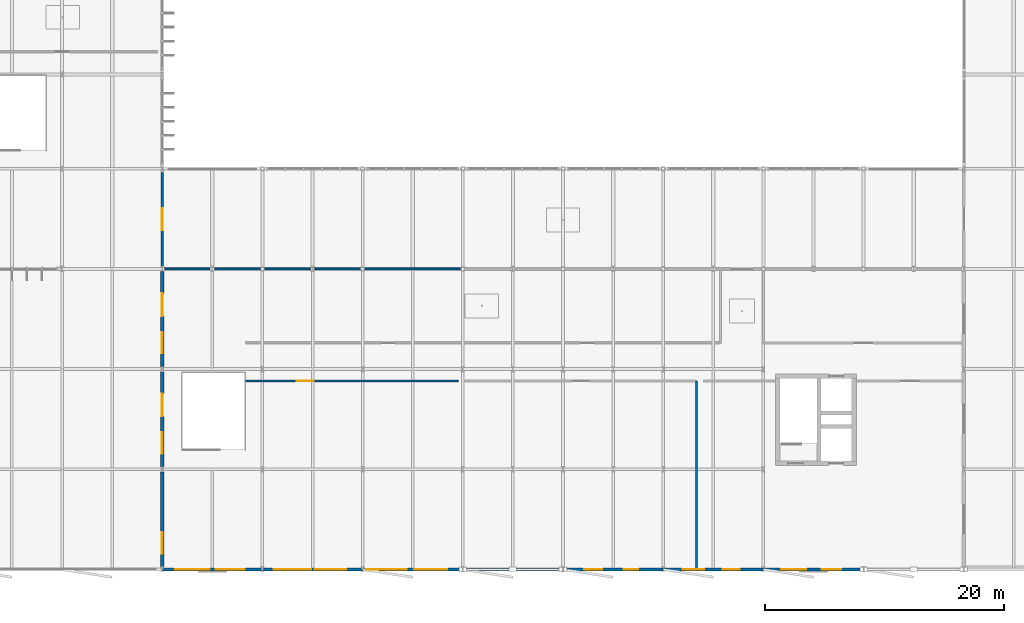
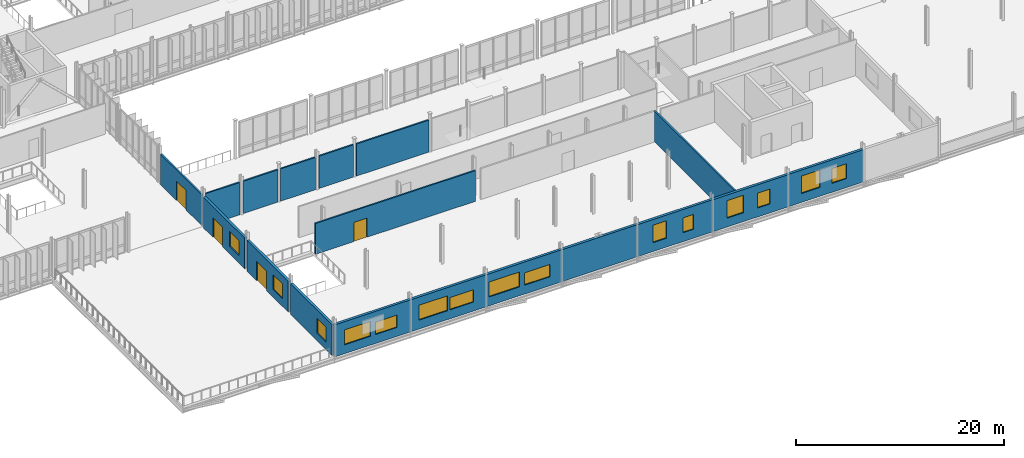
# One storey, part 102 of 139: 18 walls, 15 windows, 4 doors, 19 openings.
"""IFC4 building model written with IfcOpenShell, lengths in metres."""

from ifc_helpers import new_model, si_unit, derived_unit, direction, frame, frame_2d, origin, place, context, subcontext, project, spatial, rectangle, extrude, material, layer, layer_set, type_object, element, fill, save


model = new_model("IFC4")

# Units and contexts
model_context = context("Model", 3, precision=1e-05, world=origin(), true_north=direction((0.0, 1.0)))
body_context = subcontext(model_context, "Body", "Model", "MODEL_VIEW")
ifc_project = project(units=[si_unit("LENGTHUNIT", "METRE"), si_unit("AREAUNIT", "SQUARE_METRE"), si_unit("VOLUMEUNIT", "CUBIC_METRE"), si_unit("PLANEANGLEUNIT", "RADIAN"), si_unit("MASSUNIT", "GRAM", prefix="KILO"), derived_unit("THERMALTRANSMITTANCEUNIT", [(si_unit("MASSUNIT", "GRAM", prefix="KILO"), 1), (si_unit("TIMEUNIT", "SECOND"), -3), (si_unit("THERMODYNAMICTEMPERATUREUNIT", "KELVIN"), -1)])], contexts=[model_context])

# Site, building, storey
site_placement = place(None, origin())
site = spatial("IfcSite", under=ifc_project, at=site_placement, CompositionType="ELEMENT")
building_placement = place(site_placement, origin())
building = spatial("IfcBuilding", under=site, at=building_placement, Name="Makaiwela Harbour Ferry Terminal", CompositionType="ELEMENT")
storey_placement = place(building_placement, frame((0.0, 0.0, 5.10009765625)))
storey = spatial("IfcBuildingStorey", under=building, at=storey_placement, Name="L01", CompositionType="ELEMENT", Elevation=5.10009765625)

# Wall, openings, windows
ifc_material_1 = material(Name="Precast concrete f'c 40 MPa (6000 psi)", Category="concrete")
ifc_layer_1 = layer(ifc_material_1, 0.280029296875)
ifc_layer_set_1 = layer_set([ifc_layer_1], Name="Precast concrete f'c 40 MPa (6000 psi)")
wall_type_1 = type_object("IfcWallType", Name="ENV-WL-EXT280", PredefinedType="SOLIDWALL", material=ifc_layer_set_1)
wall_1_placement = place(storey_placement, frame((79.784912109375, 0.0, 0.0), z_axis=(0.0, 0.0, 1.0), x_axis=(-1.0, 0.0, 0.0)))
wall_1 = element("IfcWall", 1, at=wall_1_placement, inside=storey, type_object=wall_type_1, Name="Exterior Wall EW-021", PredefinedType="SOLIDWALL", context=body_context, shape_type="SweptSolid", body=[
    extrude(rectangle(XDim=8.369873046875, YDim=0.280029296875, at=frame_2d((4.18505859375, 0.0))), origin(), (0.0, 0.0, 1.0), 3.77197265625),
])
opening_1_placement = place(wall_1_placement, frame((1.478515625, 0.0, 1.050048828125)))
opening_1 = element("IfcOpeningElement", 2, at=opening_1_placement, cuts=wall_1, Name="Opening W-15", PredefinedType="OPENING", context=body_context, shape_type="SweptSolid", body=[
    extrude(rectangle(XDim=2.39990234375, YDim=1.449951171875, at=frame_2d((1.199951171875, 0.72509765625))), frame((0.0, 0.14990234375, 0.0), z_axis=(0.0, -1.0, 0.0), x_axis=(1.0, 0.0, 0.0)), (0.0, 0.0, 1.0), 0.300048828125),
])
opening_2_placement = place(wall_1_placement, frame((4.408935546875, 0.0, 1.050048828125)))
opening_2 = element("IfcOpeningElement", 3, at=opening_2_placement, cuts=wall_1, Name="Opening W-27", PredefinedType="OPENING", context=body_context, shape_type="SweptSolid", body=[
    extrude(rectangle(XDim=2.89990234375, YDim=1.75, at=frame_2d((1.449951171875, 0.875))), frame((0.0, 0.14990234375, 0.0), z_axis=(0.0, -1.0, 0.0), x_axis=(1.0, 0.0, 0.0)), (0.0, 0.0, 1.0), 0.300048828125),
])
ifc_material_2 = material(Name="Laminated hurricane-impact low-E insulated glazing", Category="glass")
window_type_1 = type_object("IfcWindowType", Name="ENV-WIN-15", PartitioningType="SINGLE_PANEL", PredefinedType="WINDOW", material=ifc_material_2)
window_1_placement = place(opening_1_placement, origin())
window_1 = element("IfcWindow", 4, at=window_1_placement, inside=storey, type_object=window_type_1, Name="Exterior Window W-15", OverallHeight=1.449951171875, OverallWidth=2.39990234375, PartitioningType="SINGLE_PANEL", PredefinedType="WINDOW", context=body_context, shape_type="SweptSolid", body=[
    extrude(rectangle(XDim=2.39990234375, YDim=1.449951171875, at=frame_2d((1.199951171875, 0.72509765625))), frame((0.0, 0.030029296875, 0.0), z_axis=(0.0, -1.0, 0.0), x_axis=(1.0, 0.0, 0.0)), (0.0, 0.0, 1.0), 0.06005859375),
])
fill(opening_1, window_1)
window_type_2 = type_object("IfcWindowType", Name="ENV-WIN-27", PartitioningType="SINGLE_PANEL", PredefinedType="WINDOW", material=ifc_material_2)
window_2_placement = place(opening_2_placement, origin())
window_2 = element("IfcWindow", 5, at=window_2_placement, inside=storey, type_object=window_type_2, Name="Exterior Window W-27", OverallHeight=1.75, OverallWidth=2.89990234375, PartitioningType="SINGLE_PANEL", PredefinedType="WINDOW", context=body_context, shape_type="SweptSolid", body=[
    extrude(rectangle(XDim=2.89990234375, YDim=1.75, at=frame_2d((1.449951171875, 0.875))), frame((0.0, 0.030029296875, 0.0), z_axis=(0.0, -1.0, 0.0), x_axis=(1.0, 0.0, 0.0)), (0.0, 0.0, 1.0), 0.06005859375),
])
fill(opening_2, window_2)

wall_2_placement = place(storey_placement, frame((88.18505859375, 0.0, 0.0), z_axis=(0.0, 0.0, 1.0), x_axis=(-1.0, 0.0, 0.0)))
wall_2 = element("IfcWall", 6, at=wall_2_placement, inside=storey, type_object=wall_type_1, Name="Exterior Wall EW-023", PredefinedType="SOLIDWALL", context=body_context, shape_type="SweptSolid", body=[
    extrude(rectangle(XDim=8.3701171875, YDim=0.280029296875, at=frame_2d((4.18505859375, 0.0))), origin(), (0.0, 0.0, 1.0), 3.77197265625),
])
opening_3_placement = place(wall_2_placement, frame((1.37841796875, 0.0, 1.050048828125)))
opening_3 = element("IfcOpeningElement", 7, at=opening_3_placement, cuts=wall_2, Name="Opening W-16", PredefinedType="OPENING", context=body_context, shape_type="SweptSolid", body=[
    extrude(rectangle(XDim=2.60009765625, YDim=1.449951171875, at=frame_2d((1.300048828125, 0.72509765625))), frame((0.0, 0.14990234375, 0.0), z_axis=(0.0, -1.0, 0.0), x_axis=(1.0, 0.0, 0.0)), (0.0, 0.0, 1.0), 0.300048828125),
])
opening_4_placement = place(wall_2_placement, frame((4.283935546875, 0.0, 1.050048828125)))
opening_4 = element("IfcOpeningElement", 8, at=opening_4_placement, cuts=wall_2, Name="Opening W-28", PredefinedType="OPENING", context=body_context, shape_type="SweptSolid", body=[
    extrude(rectangle(XDim=3.14990234375, YDim=1.75, at=frame_2d((1.574951171875, 0.875))), frame((0.0, 0.14990234375, 0.0), z_axis=(0.0, -1.0, 0.0), x_axis=(1.0, 0.0, 0.0)), (0.0, 0.0, 1.0), 0.300048828125),
])
window_type_3 = type_object("IfcWindowType", Name="ENV-WIN-16", PartitioningType="SINGLE_PANEL", PredefinedType="WINDOW", material=ifc_material_2)
window_3_placement = place(opening_3_placement, origin())
window_3 = element("IfcWindow", 9, at=window_3_placement, inside=storey, type_object=window_type_3, Name="Exterior Window W-16", OverallHeight=1.449951171875, OverallWidth=2.60009765625, PartitioningType="SINGLE_PANEL", PredefinedType="WINDOW", context=body_context, shape_type="SweptSolid", body=[
    extrude(rectangle(XDim=2.60009765625, YDim=1.449951171875, at=frame_2d((1.300048828125, 0.72509765625))), frame((0.0, 0.030029296875, 0.0), z_axis=(0.0, -1.0, 0.0), x_axis=(1.0, 0.0, 0.0)), (0.0, 0.0, 1.0), 0.06005859375),
])
fill(opening_3, window_3)
window_type_4 = type_object("IfcWindowType", Name="ENV-WIN-28", PartitioningType="SINGLE_PANEL", PredefinedType="WINDOW", material=ifc_material_2)
window_4_placement = place(opening_4_placement, origin())
window_4 = element("IfcWindow", 10, at=window_4_placement, inside=storey, type_object=window_type_4, Name="Exterior Window W-28", OverallHeight=1.75, OverallWidth=3.14990234375, PartitioningType="SINGLE_PANEL", PredefinedType="WINDOW", context=body_context, shape_type="SweptSolid", body=[
    extrude(rectangle(XDim=3.14990234375, YDim=1.75, at=frame_2d((1.574951171875, 0.875))), frame((0.0, 0.030029296875, 0.0), z_axis=(0.0, -1.0, 0.0), x_axis=(1.0, 0.0, 0.0)), (0.0, 0.0, 1.0), 0.06005859375),
])
fill(opening_4, window_4)

wall_3_placement = place(storey_placement, frame((96.5849609375, 0.0, 0.0), z_axis=(0.0, 0.0, 1.0), x_axis=(-1.0, 0.0, 0.0)))
wall_3 = element("IfcWall", 11, at=wall_3_placement, inside=storey, type_object=wall_type_1, Name="Exterior Wall EW-025", PredefinedType="SOLIDWALL", context=body_context, shape_type="SweptSolid", body=[
    extrude(rectangle(XDim=8.369873046875, YDim=0.280029296875, at=frame_2d((4.18505859375, 0.0))), origin(), (0.0, 0.0, 1.0), 3.77197265625),
])
opening_5_placement = place(wall_3_placement, frame((1.2783203125, 0.0, 1.050048828125)))
opening_5 = element("IfcOpeningElement", 12, at=opening_5_placement, cuts=wall_3, Name="Opening W-17", PredefinedType="OPENING", context=body_context, shape_type="SweptSolid", body=[
    extrude(rectangle(XDim=2.800048828125, YDim=1.449951171875, at=frame_2d((1.39990234375, 0.72509765625))), frame((0.0, 0.14990234375, 0.0), z_axis=(0.0, -1.0, 0.0), x_axis=(1.0, 0.0, 0.0)), (0.0, 0.0, 1.0), 0.300048828125),
])
opening_6_placement = place(wall_3_placement, frame((4.669921875, 0.0, 1.050048828125)))
opening_6 = element("IfcOpeningElement", 13, at=opening_6_placement, cuts=wall_3, Name="Opening W-29", PredefinedType="OPENING", context=body_context, shape_type="SweptSolid", body=[
    extrude(rectangle(XDim=3.39990234375, YDim=1.75, at=frame_2d((1.699951171875, 0.875))), frame((0.0, 0.14990234375, 0.0), z_axis=(0.0, -1.0, 0.0), x_axis=(1.0, 0.0, 0.0)), (0.0, 0.0, 1.0), 0.300048828125),
])
window_type_5 = type_object("IfcWindowType", Name="ENV-WIN-17", PartitioningType="SINGLE_PANEL", PredefinedType="WINDOW", material=ifc_material_2)
window_5_placement = place(opening_5_placement, origin())
window_5 = element("IfcWindow", 14, at=window_5_placement, inside=storey, type_object=window_type_5, Name="Exterior Window W-17", OverallHeight=1.449951171875, OverallWidth=2.800048828125, PartitioningType="SINGLE_PANEL", PredefinedType="WINDOW", context=body_context, shape_type="SweptSolid", body=[
    extrude(rectangle(XDim=2.800048828125, YDim=1.449951171875, at=frame_2d((1.39990234375, 0.72509765625))), frame((0.0, 0.030029296875, 0.0), z_axis=(0.0, -1.0, 0.0), x_axis=(1.0, 0.0, 0.0)), (0.0, 0.0, 1.0), 0.06005859375),
])
fill(opening_5, window_5)
window_type_6 = type_object("IfcWindowType", Name="ENV-WIN-29", PartitioningType="SINGLE_PANEL", PredefinedType="WINDOW", material=ifc_material_2)
window_6_placement = place(opening_6_placement, origin())
window_6 = element("IfcWindow", 15, at=window_6_placement, inside=storey, type_object=window_type_6, Name="Exterior Window W-29", OverallHeight=1.75, OverallWidth=3.39990234375, PartitioningType="SINGLE_PANEL", PredefinedType="WINDOW", context=body_context, shape_type="SweptSolid", body=[
    extrude(rectangle(XDim=3.39990234375, YDim=1.75, at=frame_2d((1.699951171875, 0.875))), frame((0.0, 0.030029296875, 0.0), z_axis=(0.0, -1.0, 0.0), x_axis=(1.0, 0.0, 0.0)), (0.0, 0.0, 1.0), 0.06005859375),
])
fill(opening_6, window_6)

# Wall
wall_4_placement = place(storey_placement, frame((104.985107421875, 0.0, 0.0), z_axis=(0.0, 0.0, 1.0), x_axis=(-1.0, 0.0, 0.0)))
element("IfcWall", 16, at=wall_4_placement, inside=storey, type_object=wall_type_1, Name="Exterior Wall EW-027", PredefinedType="SOLIDWALL", context=body_context, shape_type="SweptSolid", body=[
    extrude(rectangle(XDim=8.3701171875, YDim=0.280029296875, at=frame_2d((4.18505859375, 0.0))), origin(), (0.0, 0.0, 1.0), 3.77197265625),
])

# Wall, openings, windows
wall_5_placement = place(storey_placement, frame((113.385009765625, 0.0, 0.0), z_axis=(0.0, 0.0, 1.0), x_axis=(-1.0, 0.0, 0.0)))
wall_5 = element("IfcWall", 17, at=wall_5_placement, inside=storey, type_object=wall_type_1, Name="Exterior Wall EW-029", PredefinedType="SOLIDWALL", context=body_context, shape_type="SweptSolid", body=[
    extrude(rectangle(XDim=8.3701171875, YDim=0.280029296875, at=frame_2d((4.18505859375, 0.0))), origin(), (0.0, 0.0, 1.0), 3.77197265625),
])
opening_7_placement = place(wall_5_placement, frame((2.078369140625, 0.0, 1.050048828125)))
opening_7 = element("IfcOpeningElement", 18, at=opening_7_placement, cuts=wall_5, Name="Opening W-19", PredefinedType="OPENING", context=body_context, shape_type="SweptSolid", body=[
    extrude(rectangle(XDim=1.199951171875, YDim=1.75, at=frame_2d((0.60009765625, 0.875))), frame((0.0, 0.14990234375, 0.0), z_axis=(0.0, -1.0, 0.0), x_axis=(1.0, 0.0, 0.0)), (0.0, 0.0, 1.0), 0.300048828125),
])
opening_8_placement = place(wall_5_placement, frame((5.10888671875, 0.0, 1.050048828125)))
opening_8 = element("IfcOpeningElement", 19, at=opening_8_placement, cuts=wall_5, Name="Opening W-31", PredefinedType="OPENING", context=body_context, shape_type="SweptSolid", body=[
    extrude(rectangle(XDim=1.5, YDim=2.050048828125, at=frame_2d((0.75, 1.02490234375))), frame((0.0, 0.14990234375, 0.0), z_axis=(0.0, -1.0, 0.0), x_axis=(1.0, 0.0, 0.0)), (0.0, 0.0, 1.0), 0.300048828125),
])
window_type_7 = type_object("IfcWindowType", Name="ENV-WIN-19", PartitioningType="SINGLE_PANEL", PredefinedType="WINDOW", material=ifc_material_2)
window_7_placement = place(opening_7_placement, origin())
window_7 = element("IfcWindow", 20, at=window_7_placement, inside=storey, type_object=window_type_7, Name="Exterior Window W-19", OverallHeight=1.75, OverallWidth=1.199951171875, PartitioningType="SINGLE_PANEL", PredefinedType="WINDOW", context=body_context, shape_type="SweptSolid", body=[
    extrude(rectangle(XDim=1.199951171875, YDim=1.75, at=frame_2d((0.60009765625, 0.875))), frame((0.0, 0.030029296875, 0.0), z_axis=(0.0, -1.0, 0.0), x_axis=(1.0, 0.0, 0.0)), (0.0, 0.0, 1.0), 0.06005859375),
])
fill(opening_7, window_7)
window_type_8 = type_object("IfcWindowType", Name="ENV-WIN-31", PartitioningType="SINGLE_PANEL", PredefinedType="WINDOW", material=ifc_material_2)
window_8_placement = place(opening_8_placement, origin())
window_8 = element("IfcWindow", 21, at=window_8_placement, inside=storey, type_object=window_type_8, Name="Exterior Window W-31", OverallHeight=2.050048828125, OverallWidth=1.5, PartitioningType="SINGLE_PANEL", PredefinedType="WINDOW", context=body_context, shape_type="SweptSolid", body=[
    extrude(rectangle(XDim=1.5, YDim=2.050048828125, at=frame_2d((0.75, 1.02490234375))), frame((0.0, 0.030029296875, 0.0), z_axis=(0.0, -1.0, 0.0), x_axis=(1.0, 0.0, 0.0)), (0.0, 0.0, 1.0), 0.06005859375),
])
fill(opening_8, window_8)

wall_6_placement = place(storey_placement, frame((121.784912109375, 0.0, 0.0), z_axis=(0.0, 0.0, 1.0), x_axis=(-1.0, 0.0, 0.0)))
wall_6 = element("IfcWall", 22, at=wall_6_placement, inside=storey, type_object=wall_type_1, Name="Exterior Wall EW-031", PredefinedType="SOLIDWALL", context=body_context, shape_type="SweptSolid", body=[
    extrude(rectangle(XDim=8.369873046875, YDim=0.280029296875, at=frame_2d((4.18505859375, 0.0))), origin(), (0.0, 0.0, 1.0), 3.77197265625),
])
opening_9_placement = place(wall_6_placement, frame((1.978515625, 0.0, 1.050048828125)))
opening_9 = element("IfcOpeningElement", 23, at=opening_9_placement, cuts=wall_6, Name="Opening W-20", PredefinedType="OPENING", context=body_context, shape_type="SweptSolid", body=[
    extrude(rectangle(XDim=1.39990234375, YDim=1.75, at=frame_2d((0.699951171875, 0.875))), frame((0.0, 0.14990234375, 0.0), z_axis=(0.0, -1.0, 0.0), x_axis=(1.0, 0.0, 0.0)), (0.0, 0.0, 1.0), 0.300048828125),
])
opening_10_placement = place(wall_6_placement, frame((4.958984375, 0.0, 1.050048828125)))
opening_10 = element("IfcOpeningElement", 24, at=opening_10_placement, cuts=wall_6, Name="Opening W-32", PredefinedType="OPENING", context=body_context, shape_type="SweptSolid", body=[
    extrude(rectangle(XDim=1.800048828125, YDim=2.050048828125, at=frame_2d((0.89990234375, 1.02490234375))), frame((0.0, 0.14990234375, 0.0), z_axis=(0.0, -1.0, 0.0), x_axis=(1.0, 0.0, 0.0)), (0.0, 0.0, 1.0), 0.300048828125),
])
window_type_9 = type_object("IfcWindowType", Name="ENV-WIN-20", PartitioningType="SINGLE_PANEL", PredefinedType="WINDOW", material=ifc_material_2)
window_9_placement = place(opening_9_placement, origin())
window_9 = element("IfcWindow", 25, at=window_9_placement, inside=storey, type_object=window_type_9, Name="Exterior Window W-20", OverallHeight=1.75, OverallWidth=1.39990234375, PartitioningType="SINGLE_PANEL", PredefinedType="WINDOW", context=body_context, shape_type="SweptSolid", body=[
    extrude(rectangle(XDim=1.39990234375, YDim=1.75, at=frame_2d((0.699951171875, 0.875))), frame((0.0, 0.030029296875, 0.0), z_axis=(0.0, -1.0, 0.0), x_axis=(1.0, 0.0, 0.0)), (0.0, 0.0, 1.0), 0.06005859375),
])
fill(opening_9, window_9)
window_type_10 = type_object("IfcWindowType", Name="ENV-WIN-32", PartitioningType="SINGLE_PANEL", PredefinedType="WINDOW", material=ifc_material_2)
window_10_placement = place(opening_10_placement, origin())
window_10 = element("IfcWindow", 26, at=window_10_placement, inside=storey, type_object=window_type_10, Name="Exterior Window W-32", OverallHeight=2.050048828125, OverallWidth=1.800048828125, PartitioningType="SINGLE_PANEL", PredefinedType="WINDOW", context=body_context, shape_type="SweptSolid", body=[
    extrude(rectangle(XDim=1.800048828125, YDim=2.050048828125, at=frame_2d((0.89990234375, 1.02490234375))), frame((0.0, 0.030029296875, 0.0), z_axis=(0.0, -1.0, 0.0), x_axis=(1.0, 0.0, 0.0)), (0.0, 0.0, 1.0), 0.06005859375),
])
fill(opening_10, window_10)

wall_7_placement = place(storey_placement, frame((130.18505859375, 0.0, 0.0), z_axis=(0.0, 0.0, 1.0), x_axis=(-1.0, 0.0, 0.0)))
wall_7 = element("IfcWall", 27, at=wall_7_placement, inside=storey, type_object=wall_type_1, Name="Exterior Wall EW-033", PredefinedType="SOLIDWALL", context=body_context, shape_type="SweptSolid", body=[
    extrude(rectangle(XDim=8.3701171875, YDim=0.280029296875, at=frame_2d((4.18505859375, 0.0))), origin(), (0.0, 0.0, 1.0), 3.803955078125),
])
opening_11_placement = place(wall_7_placement, frame((1.87841796875, 0.0, 1.050048828125)))
opening_11 = element("IfcOpeningElement", 28, at=opening_11_placement, cuts=wall_7, Name="Opening W-21", PredefinedType="OPENING", context=body_context, shape_type="SweptSolid", body=[
    extrude(rectangle(XDim=1.60009765625, YDim=1.75, at=frame_2d((0.800048828125, 0.875))), frame((0.0, 0.14990234375, 0.0), z_axis=(0.0, -1.0, 0.0), x_axis=(1.0, 0.0, 0.0)), (0.0, 0.0, 1.0), 0.300048828125),
])
opening_12_placement = place(wall_7_placement, frame((4.80908203125, 0.0, 1.050048828125)))
opening_12 = element("IfcOpeningElement", 29, at=opening_12_placement, cuts=wall_7, Name="Opening W-33", PredefinedType="OPENING", context=body_context, shape_type="SweptSolid", body=[
    extrude(rectangle(XDim=2.10009765625, YDim=2.050048828125, at=frame_2d((1.050048828125, 1.02490234375))), frame((0.0, 0.14990234375, 0.0), z_axis=(0.0, -1.0, 0.0), x_axis=(1.0, 0.0, 0.0)), (0.0, 0.0, 1.0), 0.300048828125),
])
window_type_11 = type_object("IfcWindowType", Name="ENV-WIN-21", PartitioningType="SINGLE_PANEL", PredefinedType="WINDOW", material=ifc_material_2)
window_11_placement = place(opening_11_placement, origin())
window_11 = element("IfcWindow", 30, at=window_11_placement, inside=storey, type_object=window_type_11, Name="Exterior Window W-21", OverallHeight=1.75, OverallWidth=1.60009765625, PartitioningType="SINGLE_PANEL", PredefinedType="WINDOW", context=body_context, shape_type="SweptSolid", body=[
    extrude(rectangle(XDim=1.60009765625, YDim=1.75, at=frame_2d((0.800048828125, 0.875))), frame((0.0, 0.030029296875, 0.0), z_axis=(0.0, -1.0, 0.0), x_axis=(1.0, 0.0, 0.0)), (0.0, 0.0, 1.0), 0.06005859375),
])
fill(opening_11, window_11)
window_type_12 = type_object("IfcWindowType", Name="ENV-WIN-33", PartitioningType="SINGLE_PANEL", PredefinedType="WINDOW", material=ifc_material_2)
window_12_placement = place(opening_12_placement, origin())
window_12 = element("IfcWindow", 31, at=window_12_placement, inside=storey, type_object=window_type_12, Name="Exterior Window W-33", OverallHeight=2.050048828125, OverallWidth=2.10009765625, PartitioningType="SINGLE_PANEL", PredefinedType="WINDOW", context=body_context, shape_type="SweptSolid", body=[
    extrude(rectangle(XDim=2.10009765625, YDim=2.050048828125, at=frame_2d((1.050048828125, 1.02490234375))), frame((0.0, 0.030029296875, 0.0), z_axis=(0.0, -1.0, 0.0), x_axis=(1.0, 0.0, 0.0)), (0.0, 0.0, 1.0), 0.06005859375),
])
fill(opening_12, window_12)

# Wall, opening, window
wall_8_placement = place(storey_placement, frame((71.39990234375, 0.217529296875, 0.0), z_axis=(0.0, 0.0, 1.0), x_axis=(0.0, 1.0, 0.0)))
wall_8 = element("IfcWall", 32, at=wall_8_placement, inside=storey, type_object=wall_type_1, Name="Exterior Wall EW-043", PredefinedType="SOLIDWALL", context=body_context, shape_type="SweptSolid", body=[
    extrude(rectangle(XDim=7.965087890625, YDim=0.280029296875, at=frame_2d((3.982421875, 0.0))), origin(), (0.0, 0.0, 1.0), 3.622802734375),
])
opening_13_placement = place(wall_8_placement, frame((1.09130859375, 0.0, 0.89990234375)))
opening_13 = element("IfcOpeningElement", 33, at=opening_13_placement, cuts=wall_8, Name="Opening W-22", PredefinedType="OPENING", context=body_context, shape_type="SweptSolid", body=[
    extrude(rectangle(XDim=1.800048828125, YDim=1.75, at=frame_2d((0.89990234375, 0.875))), frame((0.0, 0.14990234375, 0.0), z_axis=(0.0, -1.0, 0.0), x_axis=(1.0, 0.0, 0.0)), (0.0, 0.0, 1.0), 0.300048828125),
])
window_type_13 = type_object("IfcWindowType", Name="ENV-WIN-22", PartitioningType="SINGLE_PANEL", PredefinedType="WINDOW", material=ifc_material_2)
window_13_placement = place(opening_13_placement, origin())
window_13 = element("IfcWindow", 34, at=window_13_placement, inside=storey, type_object=window_type_13, Name="Exterior Window W-22", OverallHeight=1.75, OverallWidth=1.800048828125, PartitioningType="SINGLE_PANEL", PredefinedType="WINDOW", context=body_context, shape_type="SweptSolid", body=[
    extrude(rectangle(XDim=1.800048828125, YDim=1.75, at=frame_2d((0.89990234375, 0.875))), frame((0.0, 0.030029296875, 0.0), z_axis=(0.0, -1.0, 0.0), x_axis=(1.0, 0.0, 0.0)), (0.0, 0.0, 1.0), 0.06005859375),
])
fill(opening_13, window_13)

# Wall, openings, door, window
wall_9_placement = place(storey_placement, frame((71.39990234375, 8.617431640625, 0.0), z_axis=(0.0, 0.0, 1.0), x_axis=(0.0, 1.0, 0.0)))
wall_9 = element("IfcWall", 35, at=wall_9_placement, inside=storey, type_object=wall_type_1, Name="Exterior Wall EW-045", PredefinedType="SOLIDWALL", context=body_context, shape_type="SweptSolid", body=[
    extrude(rectangle(XDim=7.965087890625, YDim=0.280029296875, at=frame_2d((3.982421875, 0.0))), origin(), (0.0, 0.0, 1.0), 3.622802734375),
])
opening_14_placement = place(wall_9_placement, frame((4.227294921875, 0.0, 0.0)))
opening_14 = element("IfcOpeningElement", 36, at=opening_14_placement, cuts=wall_9, Name="Opening ED-06", PredefinedType="OPENING", context=body_context, shape_type="SweptSolid", body=[
    extrude(rectangle(XDim=1.89990234375, YDim=2.300048828125, at=frame_2d((0.949951171875, 1.14990234375))), frame((0.0, 0.14990234375, 0.0), z_axis=(0.0, -1.0, 0.0), x_axis=(1.0, 0.0, 0.0)), (0.0, 0.0, 1.0), 0.300048828125),
])
opening_15_placement = place(wall_9_placement, frame((1.09130859375, 0.0, 0.89990234375)))
opening_15 = element("IfcOpeningElement", 37, at=opening_15_placement, cuts=wall_9, Name="Opening W-22", PredefinedType="OPENING", context=body_context, shape_type="SweptSolid", body=[
    extrude(rectangle(XDim=1.800048828125, YDim=1.75, at=frame_2d((0.89990234375, 0.875))), frame((0.0, 0.14990234375, 0.0), z_axis=(0.0, -1.0, 0.0), x_axis=(1.0, 0.0, 0.0)), (0.0, 0.0, 1.0), 0.300048828125),
])
ifc_material_3 = material(Name="Marine anodised aluminium 6063-T6", Category="aluminium")
door_type_1 = type_object("IfcDoorType", Name="ENV-DR-TER190", OperationType="NOTDEFINED", PredefinedType="DOOR", material=ifc_material_3)
door_1_placement = place(opening_14_placement, origin())
door_1 = element("IfcDoor", 38, at=door_1_placement, inside=storey, type_object=door_type_1, Name="Exterior Door ED-06", OperationType="DOUBLE_DOOR_SINGLE_SWING", OverallHeight=2.300048828125, OverallWidth=1.89990234375, PredefinedType="DOOR", context=body_context, shape_type="SweptSolid", body=[
    extrude(rectangle(XDim=1.89990234375, YDim=2.300048828125, at=frame_2d((0.949951171875, 1.14990234375))), frame((0.0, 0.02490234375, 0.0), z_axis=(0.0, -1.0, 0.0), x_axis=(1.0, 0.0, 0.0)), (0.0, 0.0, 1.0), 0.050048828125),
])
fill(opening_14, door_1)
window_14_placement = place(opening_15_placement, origin())
window_14 = element("IfcWindow", 39, at=window_14_placement, inside=storey, type_object=window_type_13, Name="Exterior Window W-22", OverallHeight=1.75, OverallWidth=1.800048828125, PartitioningType="SINGLE_PANEL", PredefinedType="WINDOW", context=body_context, shape_type="SweptSolid", body=[
    extrude(rectangle(XDim=1.800048828125, YDim=1.75, at=frame_2d((0.89990234375, 0.875))), frame((0.0, 0.030029296875, 0.0), z_axis=(0.0, -1.0, 0.0), x_axis=(1.0, 0.0, 0.0)), (0.0, 0.0, 1.0), 0.06005859375),
])
fill(opening_15, window_14)

wall_10_placement = place(storey_placement, frame((71.39990234375, 17.017578125, 0.0), z_axis=(0.0, 0.0, 1.0), x_axis=(0.0, 1.0, 0.0)))
wall_10 = element("IfcWall", 40, at=wall_10_placement, inside=storey, type_object=wall_type_1, Name="Exterior Wall EW-047", PredefinedType="SOLIDWALL", context=body_context, shape_type="SweptSolid", body=[
    extrude(rectangle(XDim=7.958984375, YDim=0.280029296875, at=frame_2d((3.9794921875, 0.0))), origin(), (0.0, 0.0, 1.0), 3.622802734375),
])
opening_16_placement = place(wall_10_placement, frame((4.223388671875, 0.0, 0.0)))
opening_16 = element("IfcOpeningElement", 41, at=opening_16_placement, cuts=wall_10, Name="Opening ED-06", PredefinedType="OPENING", context=body_context, shape_type="SweptSolid", body=[
    extrude(rectangle(XDim=1.89990234375, YDim=2.300048828125, at=frame_2d((0.949951171875, 1.14990234375))), frame((0.0, 0.14990234375, 0.0), z_axis=(0.0, -1.0, 0.0), x_axis=(1.0, 0.0, 0.0)), (0.0, 0.0, 1.0), 0.300048828125),
])
opening_17_placement = place(wall_10_placement, frame((1.08984375, 0.0, 0.89990234375)))
opening_17 = element("IfcOpeningElement", 42, at=opening_17_placement, cuts=wall_10, Name="Opening W-22", PredefinedType="OPENING", context=body_context, shape_type="SweptSolid", body=[
    extrude(rectangle(XDim=1.800048828125, YDim=1.75, at=frame_2d((0.89990234375, 0.875))), frame((0.0, 0.14990234375, 0.0), z_axis=(0.0, -1.0, 0.0), x_axis=(1.0, 0.0, 0.0)), (0.0, 0.0, 1.0), 0.300048828125),
])
door_2_placement = place(opening_16_placement, origin())
door_2 = element("IfcDoor", 43, at=door_2_placement, inside=storey, type_object=door_type_1, Name="Exterior Door ED-06", OperationType="DOUBLE_DOOR_SINGLE_SWING", OverallHeight=2.300048828125, OverallWidth=1.89990234375, PredefinedType="DOOR", context=body_context, shape_type="SweptSolid", body=[
    extrude(rectangle(XDim=1.89990234375, YDim=2.300048828125, at=frame_2d((0.949951171875, 1.14990234375))), frame((0.0, 0.02490234375, 0.0), z_axis=(0.0, -1.0, 0.0), x_axis=(1.0, 0.0, 0.0)), (0.0, 0.0, 1.0), 0.050048828125),
])
fill(opening_16, door_2)
window_15_placement = place(opening_17_placement, origin())
window_15 = element("IfcWindow", 44, at=window_15_placement, inside=storey, type_object=window_type_13, Name="Exterior Window W-22", OverallHeight=1.75, OverallWidth=1.800048828125, PartitioningType="SINGLE_PANEL", PredefinedType="WINDOW", context=body_context, shape_type="SweptSolid", body=[
    extrude(rectangle(XDim=1.800048828125, YDim=1.75, at=frame_2d((0.89990234375, 0.875))), frame((0.0, 0.030029296875, 0.0), z_axis=(0.0, -1.0, 0.0), x_axis=(1.0, 0.0, 0.0)), (0.0, 0.0, 1.0), 0.06005859375),
])
fill(opening_17, window_15)

# Walls
ifc_material_4 = material(Name="Fire-rated gypsum board on steel studs", Category="steel")
ifc_layer_2 = layer(ifc_material_4, 0.1650390625)
ifc_layer_set_2 = layer_set([ifc_layer_2], Name="Fire-rated gypsum board on steel studs")
wall_type_2 = type_object("IfcWallType", Name="INT-WL-FIR165", PredefinedType="PARTITIONING", material=ifc_layer_set_2)
wall_11_placement = place(storey_placement, frame((71.60546875, 25.199951171875, 0.0), z_axis=(0.0, 0.0, 1.0), x_axis=(1.0, 0.0, 0.0)))
element("IfcWall", 45, at=wall_11_placement, inside=storey, type_object=wall_type_2, Name="Interior Wall IW-0511", PredefinedType="PARTITIONING", context=body_context, shape_type="SweptSolid", body=[
    extrude(rectangle(XDim=3.794921875, YDim=0.1650390625, at=frame_2d((1.8974609375, 0.0))), origin(), (0.0, 0.0, 1.0), 3.803955078125),
])
wall_12_placement = place(storey_placement, frame((75.799560546875, 25.199951171875, 0.0), z_axis=(0.0, 0.0, 1.0), x_axis=(1.0, 0.0, 0.0)))
element("IfcWall", 46, at=wall_12_placement, inside=storey, type_object=wall_type_2, Name="Interior Wall IW-0512", PredefinedType="PARTITIONING", context=body_context, shape_type="SweptSolid", body=[
    extrude(rectangle(XDim=3.848388671875, YDim=0.1650390625, at=frame_2d((1.92431640625, 0.0))), origin(), (0.0, 0.0, 1.0), 3.803955078125),
])
for number, where, z_axis, x_axis, name in (
    (47, (79.951904296875, 25.199951171875, 0.0), (0.0, 0.0, 1.0), (1.0, 0.0, 0.0), "Interior Wall IW-0513"),
    (48, (84.199462890625, 25.199951171875, 0.0), (0.0, 0.0, 1.0), (1.0, 0.0, 0.0), "Interior Wall IW-0514"),
):
    element("IfcWall", number, at=place(storey_placement, frame(where, z_axis=z_axis, x_axis=x_axis)), inside=storey, type_object=wall_type_2, Name=name, PredefinedType="PARTITIONING", context=body_context, shape_type="SweptSolid", body=[
        extrude(rectangle(XDim=3.8486328125, YDim=0.1650390625, at=frame_2d((1.92431640625, 0.0))), origin(), (0.0, 0.0, 1.0), 3.803955078125),
    ])
wall_13_placement = place(storey_placement, frame((88.35205078125, 25.199951171875, 0.0), z_axis=(0.0, 0.0, 1.0), x_axis=(1.0, 0.0, 0.0)))
element("IfcWall", 49, at=wall_13_placement, inside=storey, type_object=wall_type_2, Name="Interior Wall IW-0515", PredefinedType="PARTITIONING", context=body_context, shape_type="SweptSolid", body=[
    extrude(rectangle(XDim=8.095947265625, YDim=0.1650390625, at=frame_2d((4.0478515625, 0.0))), origin(), (0.0, 0.0, 1.0), 3.77197265625),
])

# Wall, opening, door
wall_14_placement = place(storey_placement, frame((78.39990234375, 15.800048828125, 0.0), z_axis=(0.0, 0.0, 1.0), x_axis=(1.0, 0.0, 0.0)))
wall_14 = element("IfcWall", 50, at=wall_14_placement, inside=storey, type_object=wall_type_2, Name="Interior Wall IW-0530", PredefinedType="PARTITIONING", context=body_context, shape_type="SweptSolid", body=[
    extrude(rectangle(XDim=17.800048828125, YDim=0.1650390625, at=frame_2d((8.89990234375, 0.0))), origin(), (0.0, 0.0, 1.0), 3.622802734375),
])
opening_18_placement = place(wall_14_placement, frame((4.259033203125, 0.0, 0.0)))
opening_18 = element("IfcOpeningElement", 51, at=opening_18_placement, cuts=wall_14, Name="Opening D-16", PredefinedType="OPENING", context=body_context, shape_type="SweptSolid", body=[
    extrude(rectangle(XDim=1.449951171875, YDim=2.25, at=frame_2d((0.72509765625, 1.125))), frame((0.0, 0.092529296875, 0.0), z_axis=(0.0, -1.0, 0.0), x_axis=(1.0, 0.0, 0.0)), (0.0, 0.0, 1.0), 0.18505859375),
])
ifc_material_5 = material(Name="Insulated galvanised fire-rated steel leaf and frame", Category="steel")
door_type_2 = type_object("IfcDoorType", Name="INT-DR-STR145", OperationType="NOTDEFINED", PredefinedType="DOOR", material=ifc_material_5)
door_3_placement = place(opening_18_placement, origin())
door_3 = element("IfcDoor", 52, at=door_3_placement, inside=storey, type_object=door_type_2, Name="Door D-16", OperationType="SINGLE_SWING_RIGHT", OverallHeight=2.25, OverallWidth=1.449951171875, PredefinedType="DOOR", context=body_context, shape_type="SweptSolid", body=[
    extrude(rectangle(XDim=1.449951171875, YDim=2.25, at=frame_2d((0.72509765625, 1.125))), frame((0.0, 0.02490234375, 0.0), z_axis=(0.0, -1.0, 0.0), x_axis=(1.0, 0.0, 0.0)), (0.0, 0.0, 1.0), 0.050048828125),
])
fill(opening_18, door_3)

ifc_layer_3 = layer(ifc_material_4, 0.179931640625)
ifc_layer_set_3 = layer_set([ifc_layer_3], Name="Fire-rated gypsum board on steel studs")
wall_type_3 = type_object("IfcWallType", Name="INT-WL-FIR180", PredefinedType="PARTITIONING", material=ifc_layer_set_3)
wall_15_placement = place(storey_placement, frame((71.39990234375, 25.39990234375, 0.0), z_axis=(0.0, 0.0, 1.0), x_axis=(0.0, 1.0, 0.0)))
wall_15 = element("IfcWall", 53, at=wall_15_placement, inside=storey, type_object=wall_type_3, Name="Interior Wall IW-0509", PredefinedType="PARTITIONING", context=body_context, shape_type="SweptSolid", body=[
    extrude(rectangle(XDim=7.900146484375, YDim=0.179931640625, at=frame_2d((3.9501953125, 0.0))), origin(), (0.0, 0.0, 1.0), 3.602783203125),
])
opening_19_placement = place(wall_15_placement, frame((3.02490234375, 0.0, 0.0)))
opening_19 = element("IfcOpeningElement", 54, at=opening_19_placement, cuts=wall_15, Name="Opening D-05", PredefinedType="OPENING", context=body_context, shape_type="SweptSolid", body=[
    extrude(rectangle(XDim=1.85009765625, YDim=2.300048828125, at=frame_2d((0.925048828125, 1.14990234375))), frame((0.0, 0.099853515625, 0.0), z_axis=(0.0, -1.0, 0.0), x_axis=(1.0, 0.0, 0.0)), (0.0, 0.0, 1.0), 0.199951171875),
])
door_type_3 = type_object("IfcDoorType", Name="INT-DR-COR185", OperationType="NOTDEFINED", PredefinedType="DOOR", material=ifc_material_5)
door_4_placement = place(opening_19_placement, origin())
door_4 = element("IfcDoor", 55, at=door_4_placement, inside=storey, type_object=door_type_3, Name="Door D-05", OperationType="DOUBLE_DOOR_SINGLE_SWING", OverallHeight=2.300048828125, OverallWidth=1.85009765625, PredefinedType="DOOR", context=body_context, shape_type="SweptSolid", body=[
    extrude(rectangle(XDim=1.85009765625, YDim=2.300048828125, at=frame_2d((0.925048828125, 1.14990234375))), frame((0.0, 0.02490234375, 0.0), z_axis=(0.0, -1.0, 0.0), x_axis=(1.0, 0.0, 0.0)), (0.0, 0.0, 1.0), 0.050048828125),
])
fill(opening_19, door_4)

# Wall
wall_16_placement = place(storey_placement, frame((116.199951171875, 0.0400390625, 0.0), z_axis=(0.0, 0.0, 1.0), x_axis=(0.0, 1.0, 0.0)))
element("IfcWall", 56, at=wall_16_placement, inside=storey, type_object=wall_type_3, Name="Interior Wall IW-0533", PredefinedType="PARTITIONING", context=body_context, shape_type="SweptSolid", body=[
    extrude(rectangle(XDim=15.760009765625, YDim=0.179931640625, at=frame_2d((7.8798828125, 0.0))), origin(), (0.0, 0.0, 1.0), 3.622802734375),
])

save(model, "model.ifc")
